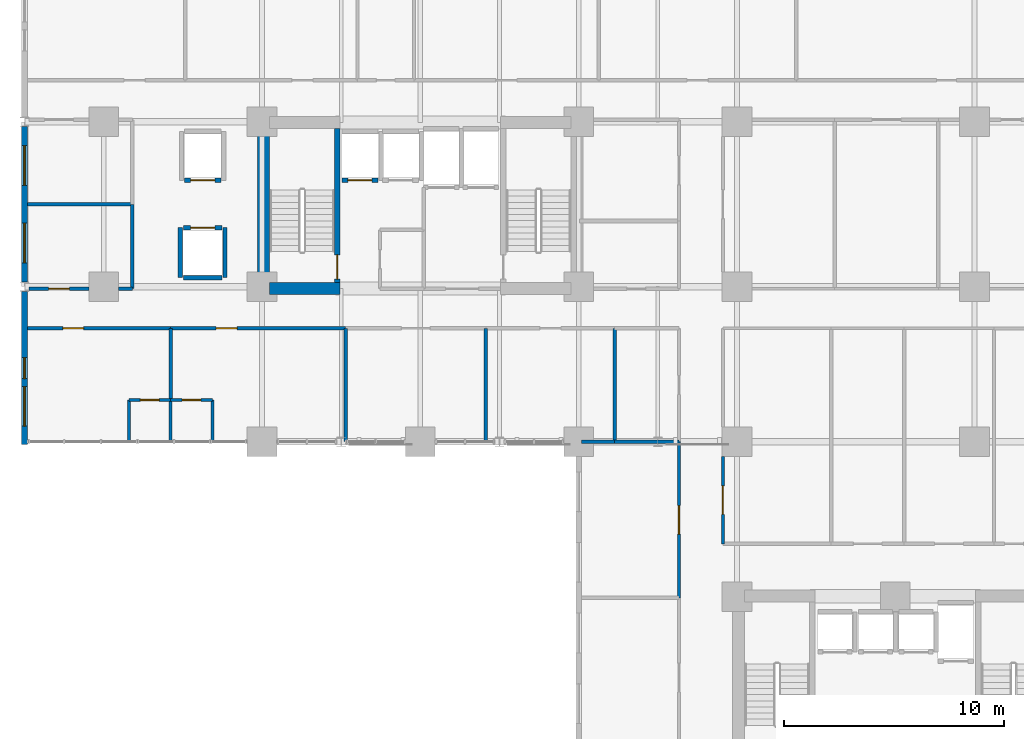
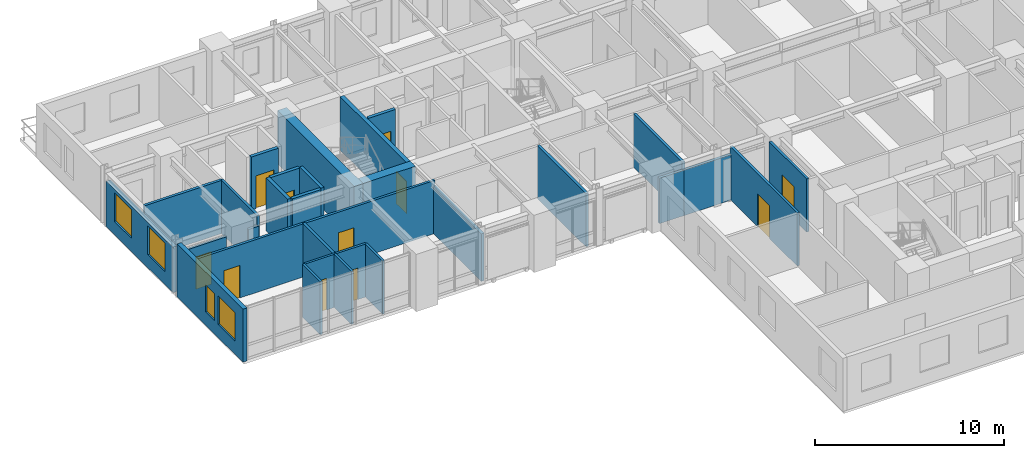
# One storey, part 8 of 16: 30 walls, 11 doors, 4 windows, 15 openings.
"""IFC4 building model written with IfcOpenShell, lengths in metres."""

from ifc_helpers import new_model, si_unit, direction, frame, frame_2d, origin, place, context, subcontext, project, spatial, rectangle, extrude, material, layer, layer_set, type_object, element, fill, save


model = new_model("IFC4")

# Units and contexts
model_context = context("Model", 3, precision=1e-05, world=origin(), true_north=direction((0.0, 1.0)))
body_context = subcontext(model_context, "Body", "Model", "MODEL_VIEW")
ifc_project = project(units=[si_unit("LENGTHUNIT", "METRE"), si_unit("AREAUNIT", "SQUARE_METRE"), si_unit("VOLUMEUNIT", "CUBIC_METRE"), si_unit("PLANEANGLEUNIT", "RADIAN"), si_unit("MASSUNIT", "GRAM", prefix="KILO")], contexts=[model_context])

# Site, building, storey
site_placement = place(None, origin())
site = spatial("IfcSite", under=ifc_project, at=site_placement, CompositionType="ELEMENT")
building_placement = place(site_placement, origin())
building = spatial("IfcBuilding", under=site, at=building_placement, Name="Kaliganga Portal Commons", CompositionType="ELEMENT")
storey_placement = place(building_placement, frame((0.0, 0.0, 29.0)))
storey = spatial("IfcBuildingStorey", under=building, at=storey_placement, Name="L06", CompositionType="ELEMENT", Elevation=29.0)

# Walls
ifc_material_1 = material(Name="Concrete C60/75", Category="concrete")
ifc_layer_1 = layer(ifc_material_1, 0.550048828125)
ifc_layer_set_1 = layer_set([ifc_layer_1], Name="Concrete C60/75")
wall_type_1 = type_object("IfcWallType", Name="WL-CORE-550", PredefinedType="SHEAR", material=ifc_layer_set_1)
wall_1_placement = place(storey_placement, frame((14.47509765625, 28.300048828125, 0.0), z_axis=(0.0, 0.0, 1.0), x_axis=(0.0, 1.0, 0.0)))
element("IfcWall", 1, at=wall_1_placement, inside=storey, type_object=wall_type_1, Name="Core A West Shear Wall L06", PredefinedType="SHEAR", context=body_context, shape_type="SweptSolid", body=[
    extrude(rectangle(XDim=8.099853515625, YDim=0.550048828125, at=frame_2d((4.0498046875, 0.0))), origin(), (0.0, 0.0, 1.0), 3.449951171875),
])
wall_2_placement = place(storey_placement, frame((14.75, 28.574951171875, 0.0), z_axis=(0.0, 0.0, 1.0), x_axis=(1.0, 0.0, 0.0)))
element("IfcWall", 2, at=wall_2_placement, inside=storey, type_object=wall_type_1, Name="Core A S-West Shear Wall L06", PredefinedType="SHEAR", context=body_context, shape_type="SweptSolid", body=[
    extrude(rectangle(XDim=3.199951171875, YDim=0.550048828125, at=frame_2d((1.60009765625, 0.0))), origin(), (0.0, 0.0, 1.0), 3.449951171875),
])

# Wall, openings, windows
ifc_material_2 = material(Name="Insulated Aluminium-Clad Spandrel Assembly", Category="aluminium")
ifc_layer_2 = layer(ifc_material_2, 0.260009765625)
ifc_layer_set_2 = layer_set([ifc_layer_2], Name="Insulated Aluminium-Clad Spandrel Assembly")
wall_type_2 = type_object("IfcWallType", Name="WL-EXT-SPAND-260", PredefinedType="STANDARD", material=ifc_layer_set_2)
wall_3_placement = place(storey_placement, frame((3.60009765625, 28.8740234375, 0.0), z_axis=(0.0, 0.0, 1.0), x_axis=(0.0, 1.0, 0.0)))
wall_3 = element("IfcWall", 3, at=wall_3_placement, inside=storey, type_object=wall_type_2, Name="Exterior Envelope Wall L06 P1-E03-S2", PredefinedType="STANDARD", context=body_context, shape_type="SweptSolid", body=[
    extrude(rectangle(XDim=7.052001953125, YDim=0.260009765625, at=frame_2d((3.52587890625, 0.0))), origin(), (0.0, 0.0, 1.0), 2.929931640625),
])
opening_1_placement = place(wall_3_placement, frame((0.863037109375, 0.0, 0.85009765625)))
opening_1 = element("IfcOpeningElement", 4, at=opening_1_placement, cuts=wall_3, Name="Opening W-01", PredefinedType="OPENING", context=body_context, shape_type="SweptSolid", body=[
    extrude(rectangle(XDim=1.800048828125, YDim=1.85009765625, at=frame_2d((0.89990234375, 0.925048828125))), frame((0.0, 0.14013671875, 0.0), z_axis=(0.0, -1.0, 0.0), x_axis=(1.0, 0.0, 0.0)), (0.0, 0.0, 1.0), 0.280029296875),
])
opening_2_placement = place(wall_3_placement, frame((4.388916015625, 0.0, 0.85009765625)))
opening_2 = element("IfcOpeningElement", 5, at=opening_2_placement, cuts=wall_3, Name="Opening W-01", PredefinedType="OPENING", context=body_context, shape_type="SweptSolid", body=[
    extrude(rectangle(XDim=1.800048828125, YDim=1.85009765625, at=frame_2d((0.89990234375, 0.925048828125))), frame((0.0, 0.14013671875, 0.0), z_axis=(0.0, -1.0, 0.0), x_axis=(1.0, 0.0, 0.0)), (0.0, 0.0, 1.0), 0.280029296875),
])
ifc_material_3 = material(Name="Thermally Broken Aluminium and Low-E Double Glazing", Category="aluminium")
window_type_1 = type_object("IfcWindowType", Name="WIN-STD-1800", PartitioningType="DOUBLE_PANEL_VERTICAL", PredefinedType="WINDOW", material=ifc_material_3)
window_1_placement = place(opening_1_placement, origin())
window_1 = element("IfcWindow", 6, at=window_1_placement, inside=storey, type_object=window_type_1, Name="Facade Window L06-P1E03S2-00", OverallHeight=1.85009765625, OverallWidth=1.800048828125, PartitioningType="SINGLE_PANEL", PredefinedType="WINDOW", context=body_context, shape_type="SweptSolid", body=[
    extrude(rectangle(XDim=1.800048828125, YDim=1.85009765625, at=frame_2d((0.89990234375, 0.925048828125))), frame((0.0, 0.030029296875, 0.0), z_axis=(0.0, -1.0, 0.0), x_axis=(1.0, 0.0, 0.0)), (0.0, 0.0, 1.0), 0.06005859375),
])
fill(opening_1, window_1)
window_2_placement = place(opening_2_placement, origin())
window_2 = element("IfcWindow", 7, at=window_2_placement, inside=storey, type_object=window_type_1, Name="Facade Window L06-P1E03S2-01", OverallHeight=1.85009765625, OverallWidth=1.800048828125, PartitioningType="SINGLE_PANEL", PredefinedType="WINDOW", context=body_context, shape_type="SweptSolid", body=[
    extrude(rectangle(XDim=1.800048828125, YDim=1.85009765625, at=frame_2d((0.89990234375, 0.925048828125))), frame((0.0, 0.030029296875, 0.0), z_axis=(0.0, -1.0, 0.0), x_axis=(1.0, 0.0, 0.0)), (0.0, 0.0, 1.0), 0.06005859375),
])
fill(opening_2, window_2)

wall_4_placement = place(storey_placement, frame((3.60009765625, 21.469970703125, 0.0), z_axis=(0.0, 0.0, 1.0), x_axis=(0.0, 1.0, 0.0)))
wall_4 = element("IfcWall", 8, at=wall_4_placement, inside=storey, type_object=wall_type_2, Name="Exterior Envelope Wall L06 P1-E03-S3", PredefinedType="STANDARD", context=body_context, shape_type="SweptSolid", body=[
    extrude(rectangle(XDim=6.9560546875, YDim=0.260009765625, at=frame_2d((3.47802734375, 0.0))), origin(), (0.0, 0.0, 1.0), 3.429931640625),
])
opening_3_placement = place(wall_4_placement, frame((0.839111328125, 0.0, 0.85009765625)))
opening_3 = element("IfcOpeningElement", 9, at=opening_3_placement, cuts=wall_4, Name="Opening W-01", PredefinedType="OPENING", context=body_context, shape_type="SweptSolid", body=[
    extrude(rectangle(XDim=1.800048828125, YDim=1.85009765625, at=frame_2d((0.89990234375, 0.925048828125))), frame((0.0, 0.14013671875, 0.0), z_axis=(0.0, -1.0, 0.0), x_axis=(1.0, 0.0, 0.0)), (0.0, 0.0, 1.0), 0.280029296875),
])
opening_4_placement = place(wall_4_placement, frame((3.0029296875, 0.0, 0.85009765625)))
opening_4 = element("IfcOpeningElement", 10, at=opening_4_placement, cuts=wall_4, Name="Opening W-04", PredefinedType="OPENING", context=body_context, shape_type="SweptSolid", body=[
    extrude(rectangle(XDim=0.949951171875, YDim=1.75, at=frame_2d((0.47509765625, 0.875))), frame((0.0, 0.14013671875, 0.0), z_axis=(0.0, -1.0, 0.0), x_axis=(1.0, 0.0, 0.0)), (0.0, 0.0, 1.0), 0.280029296875),
])
window_type_2 = type_object("IfcWindowType", Name="WIN-NARROW-950", PartitioningType="SINGLE_PANEL", PredefinedType="WINDOW", material=ifc_material_3)
window_3_placement = place(opening_4_placement, origin())
window_3 = element("IfcWindow", 11, at=window_3_placement, inside=storey, type_object=window_type_2, Name="Facade Window L06-P1E03S3-N0", OverallHeight=1.75, OverallWidth=0.949951171875, PartitioningType="SINGLE_PANEL", PredefinedType="WINDOW", context=body_context, shape_type="SweptSolid", body=[
    extrude(rectangle(XDim=0.949951171875, YDim=1.75, at=frame_2d((0.47509765625, 0.875))), frame((0.0, 0.030029296875, 0.0), z_axis=(0.0, -1.0, 0.0), x_axis=(1.0, 0.0, 0.0)), (0.0, 0.0, 1.0), 0.06005859375),
])
fill(opening_4, window_3)
window_4_placement = place(opening_3_placement, origin())
window_4 = element("IfcWindow", 12, at=window_4_placement, inside=storey, type_object=window_type_1, Name="Facade Window L06-P1E03S3-00", OverallHeight=1.85009765625, OverallWidth=1.800048828125, PartitioningType="SINGLE_PANEL", PredefinedType="WINDOW", context=body_context, shape_type="SweptSolid", body=[
    extrude(rectangle(XDim=1.800048828125, YDim=1.85009765625, at=frame_2d((0.89990234375, 0.925048828125))), frame((0.0, 0.030029296875, 0.0), z_axis=(0.0, -1.0, 0.0), x_axis=(1.0, 0.0, 0.0)), (0.0, 0.0, 1.0), 0.06005859375),
])
fill(opening_3, window_4)

# Wall, opening, door
ifc_material_4 = material(Name="Fire-Rated Gypsum Board on Steel Stud", Category="steel")
ifc_layer_3 = layer(ifc_material_4, 0.14990234375)
ifc_layer_set_3 = layer_set([ifc_layer_3], Name="Fire-Rated Gypsum Board on Steel Stud")
wall_type_3 = type_object("IfcWallType", Name="WL-PART-CORR-150", PredefinedType="PARTITIONING", material=ifc_layer_set_3)
wall_5_placement = place(storey_placement, frame((35.360107421875, 16.9599609375, 0.0), z_axis=(0.0, 0.0, 1.0), x_axis=(0.0, 1.0, 0.0)))
wall_5 = element("IfcWall", 13, at=wall_5_placement, inside=storey, type_object=wall_type_3, Name="Interior Partition L06-008", PredefinedType="PARTITIONING", context=body_context, shape_type="SweptSolid", body=[
    extrude(rectangle(XDim=3.965087890625, YDim=0.14990234375, at=frame_2d((1.982421875, 0.0))), origin(), (0.0, 0.0, 1.0), 3.429931640625),
])
opening_5_placement = place(wall_5_placement, frame((1.33251953125, 0.0, 0.0)))
opening_5 = element("IfcOpeningElement", 14, at=opening_5_placement, cuts=wall_5, Name="Opening RD-03", PredefinedType="OPENING", context=body_context, shape_type="SweptSolid", body=[
    extrude(rectangle(XDim=1.300048828125, YDim=2.1201171875, at=frame_2d((0.64990234375, 1.06005859375))), frame((0.0, 0.0849609375, 0.0), z_axis=(0.0, -1.0, 0.0), x_axis=(1.0, 0.0, 0.0)), (0.0, 0.0, 1.0), 0.169921875),
])
ifc_material_5 = material(Name="Glazed Timber Seminar Vision Door", Category="wood")
door_type_1 = type_object("IfcDoorType", Name="DR-STUDY-1300", OperationType="DOUBLE_DOOR_SINGLE_SWING", PredefinedType="DOOR", material=ifc_material_5)
door_1_placement = place(opening_5_placement, origin())
door_1 = element("IfcDoor", 15, at=door_1_placement, inside=storey, type_object=door_type_1, Name="Interior Door L06-BM01", OperationType="DOUBLE_DOOR_SINGLE_SWING", OverallHeight=2.1201171875, OverallWidth=1.300048828125, PredefinedType="DOOR", context=body_context, shape_type="SweptSolid", body=[
    extrude(rectangle(XDim=1.300048828125, YDim=2.1201171875, at=frame_2d((0.64990234375, 1.06005859375))), frame((0.0, 0.02490234375, 0.0), z_axis=(0.0, -1.0, 0.0), x_axis=(1.0, 0.0, 0.0)), (0.0, 0.0, 1.0), 0.050048828125),
])
fill(opening_5, door_1)

wall_6_placement = place(storey_placement, frame((10.239990234375, 26.760009765625, 0.0), z_axis=(0.0, 0.0, 1.0), x_axis=(1.0, 0.0, 0.0)))
wall_6 = element("IfcWall", 16, at=wall_6_placement, inside=storey, type_object=wall_type_3, Name="Interior Partition L06-016", PredefinedType="PARTITIONING", context=body_context, shape_type="SweptSolid", body=[
    extrude(rectangle(XDim=7.9599609375, YDim=0.14990234375, at=frame_2d((3.97998046875, 0.0))), origin(), (0.0, 0.0, 1.0), 3.429931640625),
])
opening_6_placement = place(wall_6_placement, frame((2.072265625, 0.0, 0.0)))
opening_6 = element("IfcOpeningElement", 17, at=opening_6_placement, cuts=wall_6, Name="Opening UD-01", PredefinedType="OPENING", context=body_context, shape_type="SweptSolid", body=[
    extrude(rectangle(XDim=0.949951171875, YDim=2.10009765625, at=frame_2d((0.47509765625, 1.050048828125))), frame((0.0, 0.0849609375, 0.0), z_axis=(0.0, -1.0, 0.0), x_axis=(1.0, 0.0, 0.0)), (0.0, 0.0, 1.0), 0.169921875),
])
ifc_material_6 = material(Name="Solid-Core Timber Acoustic Fire Door", Category="wood")
door_type_2 = type_object("IfcDoorType", Name="DR-UNIT-950", OperationType="NOTDEFINED", PredefinedType="DOOR", material=ifc_material_6)
door_2_placement = place(opening_6_placement, origin())
door_2 = element("IfcDoor", 18, at=door_2_placement, inside=storey, type_object=door_type_2, Name="Interior Door L06-AS02", OperationType="SINGLE_SWING_RIGHT", OverallHeight=2.10009765625, OverallWidth=0.949951171875, PredefinedType="DOOR", context=body_context, shape_type="SweptSolid", body=[
    extrude(rectangle(XDim=0.949951171875, YDim=2.10009765625, at=frame_2d((0.47509765625, 1.050048828125))), frame((0.0, 0.02490234375, 0.0), z_axis=(0.0, -1.0, 0.0), x_axis=(1.0, 0.0, 0.0)), (0.0, 0.0, 1.0), 0.050048828125),
])
fill(opening_6, door_2)

wall_7_placement = place(storey_placement, frame((33.360107421875, 14.5, 0.0), z_axis=(0.0, 0.0, 1.0), x_axis=(0.0, 1.0, 0.0)))
wall_7 = element("IfcWall", 19, at=wall_7_placement, inside=storey, type_object=wall_type_3, Name="Interior Partition L06-021", PredefinedType="PARTITIONING", context=body_context, shape_type="SweptSolid", body=[
    extrude(rectangle(XDim=7.10009765625, YDim=0.14990234375, at=frame_2d((3.550048828125, 0.0))), origin(), (0.0, 0.0, 1.0), 3.429931640625),
])
opening_7_placement = place(wall_7_placement, frame((2.89990234375, 0.0, 0.0)))
opening_7 = element("IfcOpeningElement", 20, at=opening_7_placement, cuts=wall_7, Name="Opening RD-03", PredefinedType="OPENING", context=body_context, shape_type="SweptSolid", body=[
    extrude(rectangle(XDim=1.300048828125, YDim=2.1201171875, at=frame_2d((0.64990234375, 1.06005859375))), frame((0.0, 0.0849609375, 0.0), z_axis=(0.0, -1.0, 0.0), x_axis=(1.0, 0.0, 0.0)), (0.0, 0.0, 1.0), 0.169921875),
])
door_3_placement = place(opening_7_placement, origin())
door_3 = element("IfcDoor", 21, at=door_3_placement, inside=storey, type_object=door_type_1, Name="Interior Door L06-KW02", OperationType="DOUBLE_DOOR_SINGLE_SWING", OverallHeight=2.1201171875, OverallWidth=1.300048828125, PredefinedType="DOOR", context=body_context, shape_type="SweptSolid", body=[
    extrude(rectangle(XDim=1.300048828125, YDim=2.1201171875, at=frame_2d((0.64990234375, 1.06005859375))), frame((0.0, 0.02490234375, 0.0), z_axis=(0.0, -1.0, 0.0), x_axis=(1.0, 0.0, 0.0)), (0.0, 0.0, 1.0), 0.050048828125),
])
fill(opening_7, door_3)

wall_8_placement = place(storey_placement, frame((3.73193359375, 26.760009765625, 0.0), z_axis=(0.0, 0.0, 1.0), x_axis=(1.0, 0.0, 0.0)))
wall_8 = element("IfcWall", 22, at=wall_8_placement, inside=storey, type_object=wall_type_3, Name="Interior Partition L06-026", PredefinedType="PARTITIONING", context=body_context, shape_type="SweptSolid", body=[
    extrude(rectangle(XDim=6.508056640625, YDim=0.14990234375, at=frame_2d((3.25390625, 0.0))), origin(), (0.0, 0.0, 1.0), 3.429931640625),
])
opening_8_placement = place(wall_8_placement, frame((1.607666015625, 0.0, 0.0)))
opening_8 = element("IfcOpeningElement", 23, at=opening_8_placement, cuts=wall_8, Name="Opening UD-01", PredefinedType="OPENING", context=body_context, shape_type="SweptSolid", body=[
    extrude(rectangle(XDim=0.949951171875, YDim=2.10009765625, at=frame_2d((0.47509765625, 1.050048828125))), frame((0.0, 0.0849609375, 0.0), z_axis=(0.0, -1.0, 0.0), x_axis=(1.0, 0.0, 0.0)), (0.0, 0.0, 1.0), 0.169921875),
])
door_4_placement = place(opening_8_placement, origin())
door_4 = element("IfcDoor", 24, at=door_4_placement, inside=storey, type_object=door_type_2, Name="Interior Door L06-AS01", OperationType="SINGLE_SWING_LEFT", OverallHeight=2.10009765625, OverallWidth=0.949951171875, PredefinedType="DOOR", context=body_context, shape_type="SweptSolid", body=[
    extrude(rectangle(XDim=0.949951171875, YDim=2.10009765625, at=frame_2d((0.47509765625, 1.050048828125))), frame((0.0, 0.02490234375, 0.0), z_axis=(0.0, -1.0, 0.0), x_axis=(1.0, 0.0, 0.0)), (0.0, 0.0, 1.0), 0.050048828125),
])
fill(opening_8, door_4)

wall_9_placement = place(storey_placement, frame((3.80810546875, 28.56005859375, 0.0), z_axis=(0.0, 0.0, 1.0), x_axis=(1.0, 0.0, 0.0)))
wall_9 = element("IfcWall", 25, at=wall_9_placement, inside=storey, type_object=wall_type_3, Name="Interior Partition L06-033", PredefinedType="PARTITIONING", context=body_context, shape_type="SweptSolid", body=[
    extrude(rectangle(XDim=2.716796875, YDim=0.14990234375, at=frame_2d((1.3583984375, 0.0))), origin(), (0.0, 0.0, 1.0), 2.780029296875),
])
opening_9_placement = place(wall_9_placement, frame((0.883544921875, 0.0, 0.0)))
opening_9 = element("IfcOpeningElement", 26, at=opening_9_placement, cuts=wall_9, Name="Opening UD-01", PredefinedType="OPENING", context=body_context, shape_type="SweptSolid", body=[
    extrude(rectangle(XDim=0.949951171875, YDim=2.10009765625, at=frame_2d((0.47509765625, 1.050048828125))), frame((0.0, 0.0849609375, 0.0), z_axis=(0.0, -1.0, 0.0), x_axis=(1.0, 0.0, 0.0)), (0.0, 0.0, 1.0), 0.169921875),
])
door_5_placement = place(opening_9_placement, origin())
door_5 = element("IfcDoor", 27, at=door_5_placement, inside=storey, type_object=door_type_2, Name="Interior Door L06-AW01", OperationType="SINGLE_SWING_RIGHT", OverallHeight=2.10009765625, OverallWidth=0.949951171875, PredefinedType="DOOR", context=body_context, shape_type="SweptSolid", body=[
    extrude(rectangle(XDim=0.949951171875, YDim=2.10009765625, at=frame_2d((0.47509765625, 1.050048828125))), frame((0.0, 0.02490234375, 0.0), z_axis=(0.0, -1.0, 0.0), x_axis=(1.0, 0.0, 0.0)), (0.0, 0.0, 1.0), 0.050048828125),
])
fill(opening_9, door_5)

# Walls
wall_10_placement = place(storey_placement, frame((7.875, 28.56005859375, 0.0), z_axis=(0.0, 0.0, 1.0), x_axis=(1.0, 0.0, 0.0)))
element("IfcWall", 28, at=wall_10_placement, inside=storey, type_object=wall_type_3, Name="Interior Partition L06-034", PredefinedType="PARTITIONING", context=body_context, shape_type="SweptSolid", body=[
    extrude(rectangle(XDim=0.625, YDim=0.14990234375, at=frame_2d((0.3125, 0.0))), origin(), (0.0, 0.0, 1.0), 2.780029296875),
])
wall_11_placement = place(storey_placement, frame((8.5, 28.56005859375, 0.0), z_axis=(0.0, 0.0, 1.0), x_axis=(0.0, 1.0, 0.0)))
element("IfcWall", 29, at=wall_11_placement, inside=storey, type_object=wall_type_3, Name="Interior Partition L06-046", PredefinedType="PARTITIONING", context=body_context, shape_type="SweptSolid", body=[
    extrude(rectangle(XDim=3.83984375, YDim=0.14990234375, at=frame_2d((1.919921875, 0.0))), origin(), (0.0, 0.0, 1.0), 3.429931640625),
])
ifc_material_7 = material(Name="Twin-Stud Acoustic Gypsum Partition", Category="gypsum")
ifc_layer_4 = layer(ifc_material_7, 0.1650390625)
ifc_layer_set_4 = layer_set([ifc_layer_4], Name="Twin-Stud Acoustic Gypsum Partition")
wall_type_4 = type_object("IfcWallType", Name="WL-PART-UNIT-165", PredefinedType="PARTITIONING", material=ifc_layer_set_4)
wall_12_placement = place(storey_placement, frame((18.199951171875, 21.6201171875, 0.0), z_axis=(0.0, 0.0, 1.0), x_axis=(0.0, 1.0, 0.0)))
element("IfcWall", 30, at=wall_12_placement, inside=storey, type_object=wall_type_4, Name="Interior Partition L06-075", PredefinedType="PARTITIONING", context=body_context, shape_type="SweptSolid", body=[
    extrude(rectangle(XDim=5.139892578125, YDim=0.1650390625, at=frame_2d((2.56982421875, 0.0))), origin(), (0.0, 0.0, 1.0), 3.070068359375),
])
wall_13_placement = place(storey_placement, frame((24.580078125, 21.6201171875, 0.0), z_axis=(0.0, 0.0, 1.0), x_axis=(0.0, 1.0, 0.0)))
element("IfcWall", 31, at=wall_13_placement, inside=storey, type_object=wall_type_4, Name="Interior Partition L06-076", PredefinedType="PARTITIONING", context=body_context, shape_type="SweptSolid", body=[
    extrude(rectangle(XDim=5.139892578125, YDim=0.1650390625, at=frame_2d((2.56982421875, 0.0))), origin(), (0.0, 0.0, 1.0), 3.429931640625),
])
wall_14_placement = place(storey_placement, frame((30.43994140625, 21.60009765625, 0.0), z_axis=(0.0, 0.0, 1.0), x_axis=(0.0, 1.0, 0.0)))
element("IfcWall", 32, at=wall_14_placement, inside=storey, type_object=wall_type_4, Name="Interior Partition L06-077", PredefinedType="PARTITIONING", context=body_context, shape_type="SweptSolid", body=[
    extrude(rectangle(XDim=5.159912109375, YDim=0.1650390625, at=frame_2d((2.580078125, 0.0))), origin(), (0.0, 0.0, 1.0), 3.429931640625),
])
wall_15_placement = place(storey_placement, frame((3.73193359375, 32.39990234375, 0.0), z_axis=(0.0, 0.0, 1.0), x_axis=(1.0, 0.0, 0.0)))
element("IfcWall", 33, at=wall_15_placement, inside=storey, type_object=wall_type_4, Name="Interior Partition L06-080", PredefinedType="PARTITIONING", context=body_context, shape_type="SweptSolid", body=[
    extrude(rectangle(XDim=4.76806640625, YDim=0.1650390625, at=frame_2d((2.384033203125, 0.0))), origin(), (0.0, 0.0, 1.0), 3.429931640625),
])
wall_16_placement = place(storey_placement, frame((10.239990234375, 23.5, 0.0), z_axis=(0.0, 0.0, 1.0), x_axis=(0.0, 1.0, 0.0)))
element("IfcWall", 34, at=wall_16_placement, inside=storey, type_object=wall_type_4, Name="Interior Partition L06-089", PredefinedType="PARTITIONING", context=body_context, shape_type="SweptSolid", body=[
    extrude(rectangle(XDim=3.260009765625, YDim=0.1650390625, at=frame_2d((1.6298828125, 0.0))), origin(), (0.0, 0.0, 1.0), 3.429931640625),
])
wall_17_placement = place(storey_placement, frame((30.43994140625, 21.60009765625, 0.0), z_axis=(0.0, 0.0, 1.0), x_axis=(1.0, 0.0, 0.0)))
element("IfcWall", 35, at=wall_17_placement, inside=storey, type_object=wall_type_4, Name="Interior Partition L06-092", PredefinedType="PARTITIONING", context=body_context, shape_type="SweptSolid", body=[
    extrude(rectangle(XDim=2.920166015625, YDim=0.1650390625, at=frame_2d((1.4599609375, 0.0))), origin(), (0.0, 0.0, 1.0), 2.929931640625),
])
wall_18_placement = place(storey_placement, frame((28.931884765625, 21.60009765625, 0.0), z_axis=(0.0, 0.0, 1.0), x_axis=(1.0, 0.0, 0.0)))
element("IfcWall", 36, at=wall_18_placement, inside=storey, type_object=wall_type_4, Name="Interior Partition L06-096", PredefinedType="PARTITIONING", context=body_context, shape_type="SweptSolid", body=[
    extrude(rectangle(XDim=1.508056640625, YDim=0.1650390625, at=frame_2d((0.75390625, 0.0))), origin(), (0.0, 0.0, 1.0), 2.929931640625),
])

# Wall, opening, door
ifc_material_8 = material(Name="Cement-Board Wet-Room Partition", Category="gypsum")
ifc_layer_5 = layer(ifc_material_8, 0.135009765625)
ifc_layer_set_5 = layer_set([ifc_layer_5], Name="Cement-Board Wet-Room Partition")
wall_type_5 = type_object("IfcWallType", Name="WL-PART-WET-135", PredefinedType="PARTITIONING", material=ifc_layer_set_5)
wall_19_placement = place(storey_placement, frame((8.340087890625, 23.5, 0.0), z_axis=(0.0, 0.0, 1.0), x_axis=(1.0, 0.0, 0.0)))
wall_19 = element("IfcWall", 37, at=wall_19_placement, inside=storey, type_object=wall_type_5, Name="Interior Partition L06-001", PredefinedType="PARTITIONING", context=body_context, shape_type="SweptSolid", body=[
    extrude(rectangle(XDim=1.89990234375, YDim=0.135009765625, at=frame_2d((0.949951171875, 0.0))), origin(), (0.0, 0.0, 1.0), 3.429931640625),
])
opening_10_placement = place(wall_19_placement, frame((0.52490234375, 0.0, 0.0)))
opening_10 = element("IfcOpeningElement", 38, at=opening_10_placement, cuts=wall_19, Name="Opening WD-01", PredefinedType="OPENING", context=body_context, shape_type="SweptSolid", body=[
    extrude(rectangle(XDim=0.85009765625, YDim=2.0400390625, at=frame_2d((0.425048828125, 1.02001953125))), frame((0.0, 0.07763671875, 0.0), z_axis=(0.0, -1.0, 0.0), x_axis=(1.0, 0.0, 0.0)), (0.0, 0.0, 1.0), 0.155029296875),
])
ifc_material_9 = material(Name="Moisture-Resistant Laminate Timber Door", Category="wood")
door_type_3 = type_object("IfcDoorType", Name="DR-WET-850", OperationType="NOTDEFINED", PredefinedType="DOOR", material=ifc_material_9)
door_6_placement = place(opening_10_placement, origin())
door_6 = element("IfcDoor", 39, at=door_6_placement, inside=storey, type_object=door_type_3, Name="Interior Door L06-AS01E", OperationType="SINGLE_SWING_RIGHT", OverallHeight=2.0400390625, OverallWidth=0.85009765625, PredefinedType="DOOR", context=body_context, shape_type="SweptSolid", body=[
    extrude(rectangle(XDim=0.85009765625, YDim=2.0400390625, at=frame_2d((0.425048828125, 1.02001953125))), frame((0.0, 0.02490234375, 0.0), z_axis=(0.0, -1.0, 0.0), x_axis=(1.0, 0.0, 0.0)), (0.0, 0.0, 1.0), 0.050048828125),
])
fill(opening_10, door_6)

wall_20_placement = place(storey_placement, frame((10.239990234375, 23.5, 0.0), z_axis=(0.0, 0.0, 1.0), x_axis=(1.0, 0.0, 0.0)))
wall_20 = element("IfcWall", 40, at=wall_20_placement, inside=storey, type_object=wall_type_5, Name="Interior Partition L06-002", PredefinedType="PARTITIONING", context=body_context, shape_type="SweptSolid", body=[
    extrude(rectangle(XDim=1.89990234375, YDim=0.135009765625, at=frame_2d((0.949951171875, 0.0))), origin(), (0.0, 0.0, 1.0), 3.429931640625),
])
opening_11_placement = place(wall_20_placement, frame((0.52490234375, 0.0, 0.0)))
opening_11 = element("IfcOpeningElement", 41, at=opening_11_placement, cuts=wall_20, Name="Opening WD-01", PredefinedType="OPENING", context=body_context, shape_type="SweptSolid", body=[
    extrude(rectangle(XDim=0.85009765625, YDim=2.0400390625, at=frame_2d((0.425048828125, 1.02001953125))), frame((0.0, 0.07763671875, 0.0), z_axis=(0.0, -1.0, 0.0), x_axis=(1.0, 0.0, 0.0)), (0.0, 0.0, 1.0), 0.155029296875),
])
door_7_placement = place(opening_11_placement, origin())
door_7 = element("IfcDoor", 42, at=door_7_placement, inside=storey, type_object=door_type_3, Name="Interior Door L06-AS02E", OperationType="SINGLE_SWING_LEFT", OverallHeight=2.0400390625, OverallWidth=0.85009765625, PredefinedType="DOOR", context=body_context, shape_type="SweptSolid", body=[
    extrude(rectangle(XDim=0.85009765625, YDim=2.0400390625, at=frame_2d((0.425048828125, 1.02001953125))), frame((0.0, 0.02490234375, 0.0), z_axis=(0.0, -1.0, 0.0), x_axis=(1.0, 0.0, 0.0)), (0.0, 0.0, 1.0), 0.050048828125),
])
fill(opening_11, door_7)

# Walls
for number, where, z_axis, x_axis, name in (
    (43, (8.340087890625, 21.6201171875, 0.0), (0.0, 0.0, 1.0), (0.0, 1.0, 0.0), "Interior Partition L06-003"),
    (44, (10.239990234375, 21.6201171875, 0.0), (0.0, 0.0, 1.0), (0.0, 1.0, 0.0), "Interior Partition L06-004"),
    (45, (12.139892578125, 21.6201171875, 0.0), (0.0, 0.0, 1.0), (0.0, 1.0, 0.0), "Interior Partition L06-005"),
):
    element("IfcWall", number, at=place(storey_placement, frame(where, z_axis=z_axis, x_axis=x_axis)), inside=storey, type_object=wall_type_5, Name=name, PredefinedType="PARTITIONING", context=body_context, shape_type="SweptSolid", body=[
        extrude(rectangle(XDim=1.8798828125, YDim=0.135009765625, at=frame_2d((0.93994140625, 0.0))), origin(), (0.0, 0.0, 1.0), 3.429931640625),
    ])

# Wall, opening, door
ifc_material_10 = material(Name="Fire-Rated Shaftwall Masonry Assembly", Category="masonry")
ifc_layer_6 = layer(ifc_material_10, 0.199951171875)
ifc_layer_set_6 = layer_set([ifc_layer_6], Name="Fire-Rated Shaftwall Masonry Assembly")
wall_type_6 = type_object("IfcWallType", Name="WL-SHAFT-200", PredefinedType="PARTITIONING", material=ifc_layer_set_6)
wall_21_placement = place(storey_placement, frame((18.02490234375, 33.485107421875, 0.0), z_axis=(0.0, 0.0, 1.0), x_axis=(1.0, 0.0, 0.0)))
wall_21 = element("IfcWall", 46, at=wall_21_placement, inside=storey, type_object=wall_type_6, Name="Lift PL-A1 Hoistway Shaft Wall L06-S", PredefinedType="PARTITIONING", context=body_context, shape_type="SweptSolid", body=[
    extrude(rectangle(XDim=1.650146484375, YDim=0.199951171875, at=frame_2d((0.8251953125, 0.0))), origin(), (0.0, 0.0, 1.0), 3.429931640625),
])
opening_12_placement = place(wall_21_placement, frame((0.27490234375, 0.0, 0.0)))
opening_12 = element("IfcOpeningElement", 47, at=opening_12_placement, cuts=wall_21, Name="Opening LD-01", PredefinedType="OPENING", context=body_context, shape_type="SweptSolid", body=[
    extrude(rectangle(XDim=1.10009765625, YDim=2.1201171875, at=frame_2d((0.550048828125, 1.06005859375))), frame((0.0, 0.10986328125, 0.0), z_axis=(0.0, -1.0, 0.0), x_axis=(1.0, 0.0, 0.0)), (0.0, 0.0, 1.0), 0.219970703125),
])
ifc_material_11 = material(Name="Brushed Stainless Steel 316 Lift Landing Door", Category="steel")
door_type_4 = type_object("IfcDoorType", Name="DR-LIFT-1100", OperationType="SLIDING_TO_LEFT", PredefinedType="DOOR", material=ifc_material_11)
door_8_placement = place(opening_12_placement, origin())
door_8 = element("IfcDoor", 48, at=door_8_placement, inside=storey, type_object=door_type_4, Name="Lift PL-A1 Sliding Landing Door L06", OperationType="SLIDING_TO_LEFT", OverallHeight=2.1201171875, OverallWidth=1.10009765625, PredefinedType="DOOR", context=body_context, shape_type="SweptSolid", body=[
    extrude(rectangle(XDim=1.10009765625, YDim=2.1201171875, at=frame_2d((0.550048828125, 1.06005859375))), frame((0.0, 0.02490234375, 0.0), z_axis=(0.0, -1.0, 0.0), x_axis=(1.0, 0.0, 0.0)), (0.0, 0.0, 1.0), 0.050048828125),
])
fill(opening_12, door_8)

# Wall
wall_22_placement = place(storey_placement, frame((10.824951171875, 29.06005859375, 0.0), z_axis=(0.0, 0.0, 1.0), x_axis=(1.0, 0.0, 0.0)))
element("IfcWall", 49, at=wall_22_placement, inside=storey, type_object=wall_type_6, Name="Lift SH-1 Hoistway Shaft Wall L06-S", PredefinedType="PARTITIONING", context=body_context, shape_type="SweptSolid", body=[
    extrude(rectangle(XDim=1.75, YDim=0.199951171875, at=frame_2d((0.875, 0.0))), origin(), (0.0, 0.0, 1.0), 3.429931640625),
])

# Wall, opening, door
wall_23_placement = place(storey_placement, frame((10.824951171875, 31.340087890625, 0.0), z_axis=(0.0, 0.0, 1.0), x_axis=(1.0, 0.0, 0.0)))
wall_23 = element("IfcWall", 50, at=wall_23_placement, inside=storey, type_object=wall_type_6, Name="Lift SH-1 Hoistway Shaft Wall L06-N", PredefinedType="PARTITIONING", context=body_context, shape_type="SweptSolid", body=[
    extrude(rectangle(XDim=1.75, YDim=0.199951171875, at=frame_2d((0.875, 0.0))), origin(), (0.0, 0.0, 1.0), 3.429931640625),
])
opening_13_placement = place(wall_23_placement, frame((0.324951171875, 0.0, 0.0)))
opening_13 = element("IfcOpeningElement", 51, at=opening_13_placement, cuts=wall_23, Name="Opening LD-01", PredefinedType="OPENING", context=body_context, shape_type="SweptSolid", body=[
    extrude(rectangle(XDim=1.10009765625, YDim=2.1201171875, at=frame_2d((0.550048828125, 1.06005859375))), frame((0.0, 0.10986328125, 0.0), z_axis=(0.0, -1.0, 0.0), x_axis=(1.0, 0.0, 0.0)), (0.0, 0.0, 1.0), 0.219970703125),
])
door_9_placement = place(opening_13_placement, origin())
door_9 = element("IfcDoor", 52, at=door_9_placement, inside=storey, type_object=door_type_4, Name="Lift SH-1 Sliding Landing Door L06", OperationType="SLIDING_TO_LEFT", OverallHeight=2.1201171875, OverallWidth=1.10009765625, PredefinedType="DOOR", context=body_context, shape_type="SweptSolid", body=[
    extrude(rectangle(XDim=1.10009765625, YDim=2.1201171875, at=frame_2d((0.550048828125, 1.06005859375))), frame((0.0, 0.02490234375, 0.0), z_axis=(0.0, -1.0, 0.0), x_axis=(1.0, 0.0, 0.0)), (0.0, 0.0, 1.0), 0.050048828125),
])
fill(opening_13, door_9)

# Walls
for number, where, z_axis, x_axis, name in (
    (53, (10.68505859375, 29.06005859375, 0.0), (0.0, 0.0, 1.0), (0.0, 1.0, 0.0), "Lift SH-1 Hoistway Shaft Wall L06-W"),
    (54, (12.715087890625, 29.06005859375, 0.0), (0.0, 0.0, 1.0), (0.0, 1.0, 0.0), "Lift SH-1 Hoistway Shaft Wall L06-E"),
):
    element("IfcWall", number, at=place(storey_placement, frame(where, z_axis=z_axis, x_axis=x_axis)), inside=storey, type_object=wall_type_6, Name=name, PredefinedType="PARTITIONING", context=body_context, shape_type="SweptSolid", body=[
        extrude(rectangle(XDim=2.280029296875, YDim=0.199951171875, at=frame_2d((1.14013671875, 0.0))), origin(), (0.0, 0.0, 1.0), 3.429931640625),
    ])

# Wall, opening, door
wall_24_placement = place(storey_placement, frame((10.875, 33.485107421875, 0.0), z_axis=(0.0, 0.0, 1.0), x_axis=(1.0, 0.0, 0.0)))
wall_24 = element("IfcWall", 55, at=wall_24_placement, inside=storey, type_object=wall_type_6, Name="Lift PL-OBS Hoistway Shaft Wall L06-S", PredefinedType="PARTITIONING", context=body_context, shape_type="SweptSolid", body=[
    extrude(rectangle(XDim=1.64990234375, YDim=0.199951171875, at=frame_2d((0.824951171875, 0.0))), origin(), (0.0, 0.0, 1.0), 3.429931640625),
])
opening_14_placement = place(wall_24_placement, frame((0.27490234375, 0.0, 0.0)))
opening_14 = element("IfcOpeningElement", 56, at=opening_14_placement, cuts=wall_24, Name="Opening LD-01", PredefinedType="OPENING", context=body_context, shape_type="SweptSolid", body=[
    extrude(rectangle(XDim=1.10009765625, YDim=2.1201171875, at=frame_2d((0.550048828125, 1.06005859375))), frame((0.0, 0.10986328125, 0.0), z_axis=(0.0, -1.0, 0.0), x_axis=(1.0, 0.0, 0.0)), (0.0, 0.0, 1.0), 0.219970703125),
])
door_10_placement = place(opening_14_placement, origin())
door_10 = element("IfcDoor", 57, at=door_10_placement, inside=storey, type_object=door_type_4, Name="Lift PL-OBS Sliding Landing Door L06", OperationType="SLIDING_TO_LEFT", OverallHeight=2.1201171875, OverallWidth=1.10009765625, PredefinedType="DOOR", context=body_context, shape_type="SweptSolid", body=[
    extrude(rectangle(XDim=1.10009765625, YDim=2.1201171875, at=frame_2d((0.550048828125, 1.06005859375))), frame((0.0, 0.02490234375, 0.0), z_axis=(0.0, -1.0, 0.0), x_axis=(1.0, 0.0, 0.0)), (0.0, 0.0, 1.0), 0.050048828125),
])
fill(opening_14, door_10)

ifc_material_12 = material(Name="Concrete C50/60", Category="concrete")
ifc_layer_7 = layer(ifc_material_12, 0.25)
ifc_layer_set_7 = layer_set([ifc_layer_7], Name="Concrete C50/60")
wall_type_7 = type_object("IfcWallType", Name="WL-STAIR-250", PredefinedType="SHEAR", material=ifc_layer_set_7)
wall_25_placement = place(storey_placement, frame((17.824951171875, 28.85009765625, 0.0), z_axis=(0.0, 0.0, 1.0), x_axis=(0.0, 1.0, 0.0)))
wall_25 = element("IfcWall", 58, at=wall_25_placement, inside=storey, type_object=wall_type_7, Name="Stair A1 Enclosure Shear Wall L06", PredefinedType="SHEAR", context=body_context, shape_type="SweptSolid", body=[
    extrude(rectangle(XDim=7.0, YDim=0.25, at=frame_2d((3.5, 0.0))), origin(), (0.0, 0.0, 1.0), 3.449951171875),
])
opening_15_placement = place(wall_25_placement, frame((0.14990234375, 0.0, 0.0)))
opening_15 = element("IfcOpeningElement", 59, at=opening_15_placement, cuts=wall_25, Name="Opening SD-01", PredefinedType="OPENING", context=body_context, shape_type="SweptSolid", body=[
    extrude(rectangle(XDim=1.10009765625, YDim=2.080078125, at=frame_2d((0.550048828125, 1.0400390625))), frame((0.0, 0.135009765625, 0.0), z_axis=(0.0, -1.0, 0.0), x_axis=(1.0, 0.0, 0.0)), (0.0, 0.0, 1.0), 0.27001953125),
])
ifc_material_13 = material(Name="Galvanized Steel Fire Door Leaf and Frame", Category="steel")
door_type_5 = type_object("IfcDoorType", Name="DR-STAIR-1100", OperationType="NOTDEFINED", PredefinedType="DOOR", material=ifc_material_13)
door_11_placement = place(opening_15_placement, origin())
door_11 = element("IfcDoor", 60, at=door_11_placement, inside=storey, type_object=door_type_5, Name="Protected Stair ST-A1 Fire Door L06", OperationType="SINGLE_SWING_RIGHT", OverallHeight=2.080078125, OverallWidth=1.10009765625, PredefinedType="DOOR", context=body_context, shape_type="SweptSolid", body=[
    extrude(rectangle(XDim=1.10009765625, YDim=2.080078125, at=frame_2d((0.550048828125, 1.0400390625))), frame((0.0, 0.02490234375, 0.0), z_axis=(0.0, -1.0, 0.0), x_axis=(1.0, 0.0, 0.0)), (0.0, 0.0, 1.0), 0.050048828125),
])
fill(opening_15, door_11)

save(model, "model.ifc")
